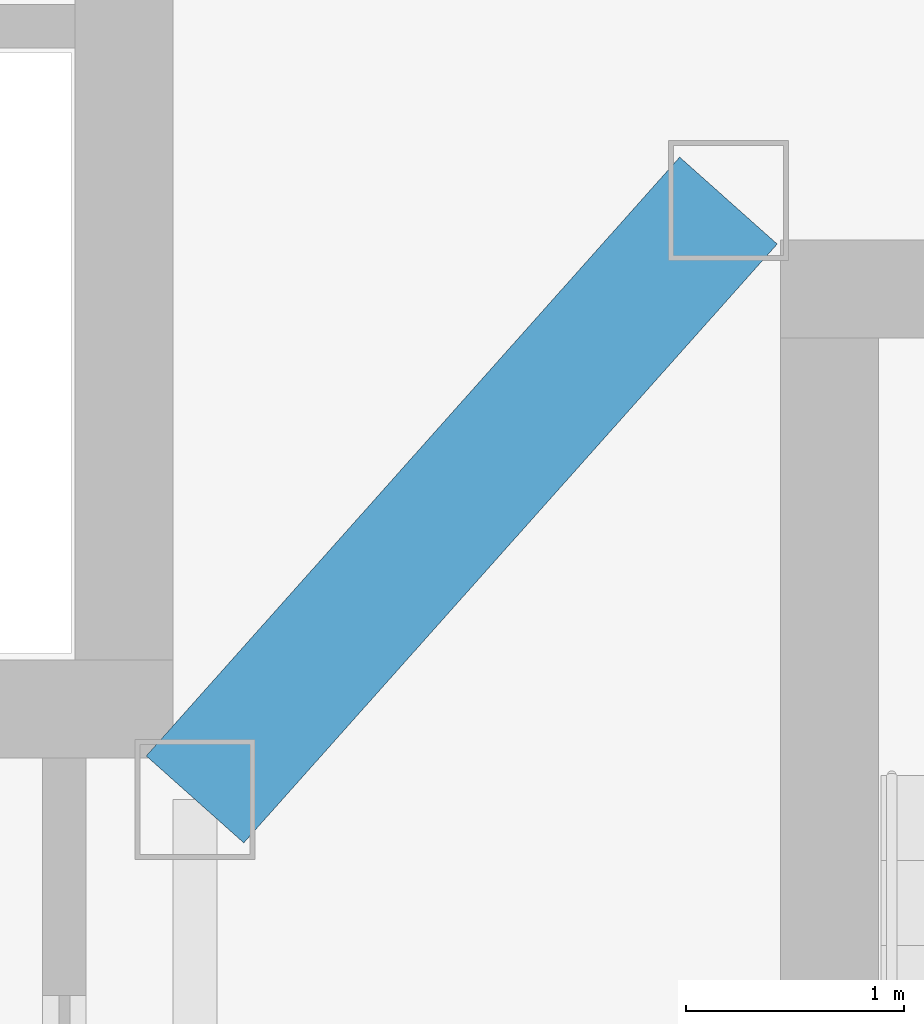
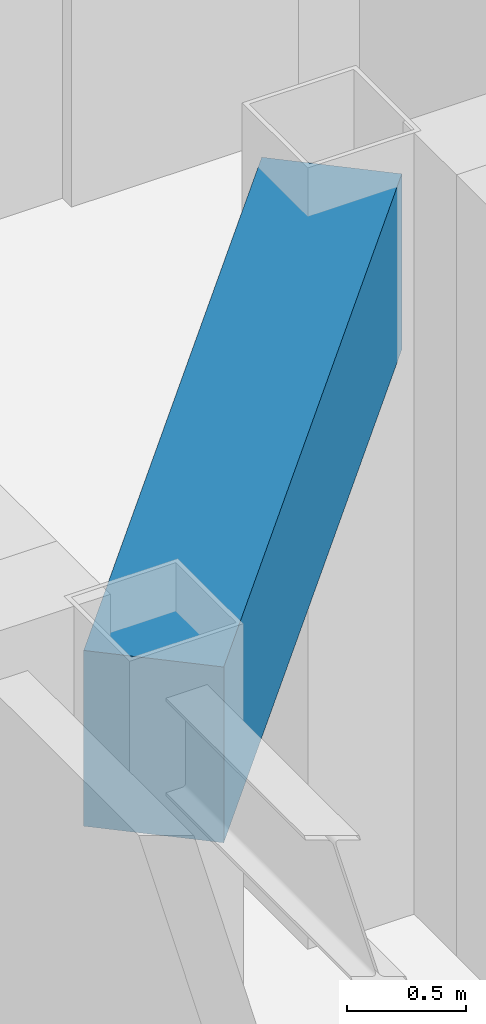
# One storey, part 8 of 23: 1 beam.
"""IFC4 building model written with IfcOpenShell, lengths in metres."""

from ifc_helpers import new_model, si_unit, direction, frame, origin, origin_2d, place, context, subcontext, project, spatial, rectangle, extrude, material, material_profile, profile_set, type_object, element, save


model = new_model("IFC4")

# Units and contexts
model_context = context("Model", 3, precision=1e-05, world=origin(), true_north=direction((0.0, 1.0)))
body_context = subcontext(model_context, "Body", "Model", "MODEL_VIEW")
ifc_project = project(units=[si_unit("LENGTHUNIT", "METRE"), si_unit("AREAUNIT", "SQUARE_METRE"), si_unit("VOLUMEUNIT", "CUBIC_METRE"), si_unit("PLANEANGLEUNIT", "RADIAN"), si_unit("MASSUNIT", "GRAM", prefix="KILO")], contexts=[model_context])

# Site, building, storey
site_placement = place(None, origin())
site = spatial("IfcSite", under=ifc_project, at=site_placement, CompositionType="ELEMENT")
building_placement = place(site_placement, origin())
building = spatial("IfcBuilding", under=site, at=building_placement, Name="Hatsunagi Terrace Concourse", CompositionType="ELEMENT")
storey_placement = place(building_placement, frame((0.0, 0.0, 281.949951171875)))
storey = spatial("IfcBuildingStorey", under=building, at=storey_placement, Name="L74", CompositionType="ELEMENT", Elevation=281.949951171875)

# Beam
ifc_material = material(Name="Concrete Fc42", Category="concrete")
ifc_material_profile = material_profile(ifc_material, rectangle(XDim=0.60009765625, YDim=0.89990234375, at=origin_2d()), Name="RC-600x900")
ifc_profile_set = profile_set([ifc_material_profile], Name="Concrete Fc42")
beam_type = type_object("IfcBeamType", Name="CoreCouplingBeam_RC_600x900", PredefinedType="BEAM", material=ifc_profile_set)
beam_placement = place(storey_placement, frame((33.35009765625, 32.550048828125, 3.300048828125), z_axis=(0.665198651008, 0.746666427997, 0.0), x_axis=(-0.746666427997, 0.665198651008, 0.0)))
element("IfcBeam", 1, at=beam_placement, inside=storey, type_object=beam_type, Name="Beam CB-03 CB-L74-1", PredefinedType="BEAM", context=body_context, shape_type="SweptSolid", body=[
    extrude(rectangle(XDim=0.60009765625, YDim=0.89990234375, at=origin_2d()), origin(), (0.0, 0.0, 1.0), 3.68310546875),
])

save(model, "model.ifc")
